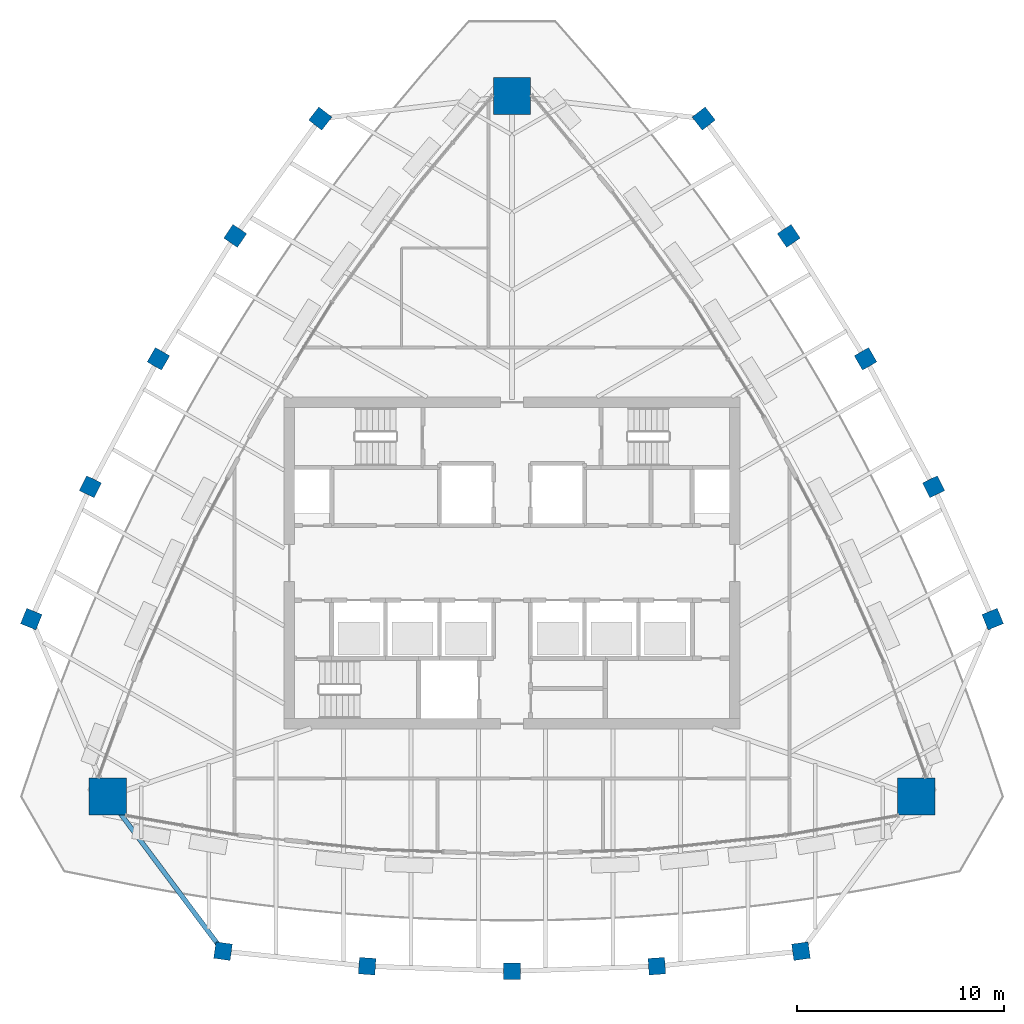
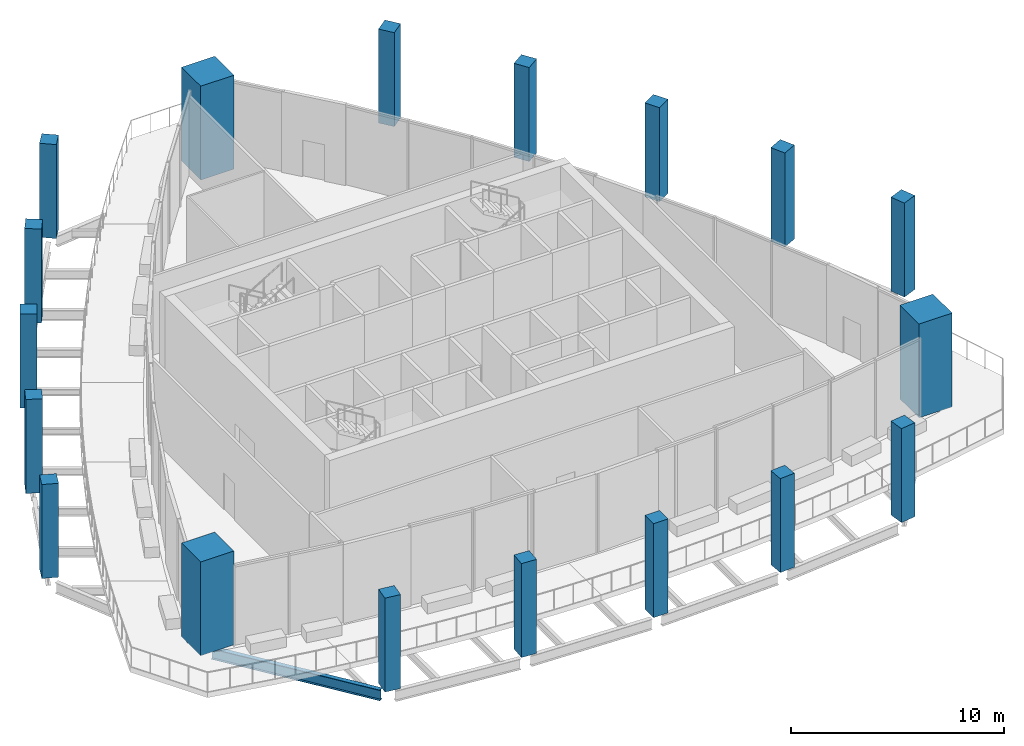
# One storey, part 1 of 14: 18 columns, 1 beam.
"""IFC4 building model written with IfcOpenShell, lengths in metres."""

from ifc_helpers import new_model, si_unit, direction, frame, origin, origin_2d, place, context, subcontext, project, spatial, rectangle, i_section, extrude, clip, halfspace, material, material_profile, profile_set, type_object, element, save


model = new_model("IFC4")

# Units and contexts
model_context = context("Model", 3, precision=1e-05, world=origin(), true_north=direction((0.0, 1.0)))
body_context = subcontext(model_context, "Body", "Model", "MODEL_VIEW")
ifc_project = project(units=[si_unit("LENGTHUNIT", "METRE"), si_unit("AREAUNIT", "SQUARE_METRE"), si_unit("VOLUMEUNIT", "CUBIC_METRE"), si_unit("PLANEANGLEUNIT", "RADIAN"), si_unit("MASSUNIT", "GRAM", prefix="KILO")], contexts=[model_context])

# Site, building, storey
site_placement = place(None, origin())
site = spatial("IfcSite", under=ifc_project, at=site_placement, CompositionType="ELEMENT")
building_placement = place(site_placement, origin())
building = spatial("IfcBuilding", under=site, at=building_placement, Name="Sierra Prisma Convention Tower", CompositionType="ELEMENT")
storey_placement = place(building_placement, frame((0.0, 0.0, 339.39990234375)))
storey = spatial("IfcBuildingStorey", under=building, at=storey_placement, Name="L76", CompositionType="ELEMENT", Elevation=339.39990234375)

# Columns
ifc_material_1 = material(Name="Concrete C50/60", Category="concrete")
ifc_material_profile_1 = material_profile(ifc_material_1, rectangle(XDim=1.800048828125, YDim=1.800048828125, at=origin_2d()), Name="Mega column RC 1800 C50/60")
ifc_profile_set_1 = profile_set([ifc_material_profile_1], Name="Concrete C50/60")
column_type_1 = type_object("IfcColumnType", Name="Mega column RC 1800 C50/60", PredefinedType="COLUMN", material=ifc_profile_set_1)
column_1_placement = place(storey_placement, frame((19.513671875, -11.266357421875, 0.0), z_axis=(0.0, 0.0, 1.0), x_axis=(1.0, 0.0, 0.0)))
element("IfcColumn", 1, at=column_1_placement, inside=storey, type_object=column_type_1, Name="Mega column SE L76", PredefinedType="COLUMN", context=body_context, shape_type="SweptSolid", body=[
    clip(extrude(rectangle(XDim=1.800048828125, YDim=1.800048828125, at=origin_2d()), origin(), (0.0, 0.0, 1.0), 5.400146484375), halfspace(frame((0.0, 0.0, 0.009033203125)), True)),
])
column_2_placement = place(storey_placement, frame((0.0, 22.532470703125, 0.0), z_axis=(0.0, 0.0, 1.0), x_axis=(1.0, 0.0, 0.0)))
element("IfcColumn", 2, at=column_2_placement, inside=storey, type_object=column_type_1, Name="Mega column N L76", PredefinedType="COLUMN", context=body_context, shape_type="SweptSolid", body=[
    clip(extrude(rectangle(XDim=1.800048828125, YDim=1.800048828125, at=origin_2d()), origin(), (0.0, 0.0, 1.0), 5.400146484375), halfspace(frame((0.0, 0.0, 0.006591796875)), True)),
])
column_3_placement = place(storey_placement, frame((-19.513671875, -11.266357421875, 0.0), z_axis=(0.0, 0.0, 1.0), x_axis=(1.0, 0.0, 0.0)))
element("IfcColumn", 3, at=column_3_placement, inside=storey, type_object=column_type_1, Name="Mega column SW L76", PredefinedType="COLUMN", context=body_context, shape_type="SweptSolid", body=[
    clip(extrude(rectangle(XDim=1.800048828125, YDim=1.800048828125, at=origin_2d()), origin(), (0.0, 0.0, 1.0), 5.400146484375), halfspace(frame((0.0, 0.0, 0.009033203125)), True)),
])
ifc_material_2 = material(Name="Concrete C50/60", Category="concrete")
ifc_material_profile_2 = material_profile(ifc_material_2, rectangle(XDim=0.800048828125, YDim=0.800048828125, at=origin_2d()), Name="Perimeter column RC 800 C50/60")
ifc_profile_set_2 = profile_set([ifc_material_profile_2], Name="Concrete C50/60")
column_type_2 = type_object("IfcColumnType", Name="Perimeter column RC 800 C50/60", PredefinedType="COLUMN", material=ifc_profile_set_2)
column_4_placement = place(storey_placement, frame((-13.944580078125, -18.733154296875, 0.0), z_axis=(0.0, 0.0, 1.0), x_axis=(-0.990429413919, 0.138020201583, 0.0)))
element("IfcColumn", 4, at=column_4_placement, inside=storey, type_object=column_type_2, Name="Perimeter column S-1 L76", PredefinedType="COLUMN", context=body_context, shape_type="SweptSolid", body=[
    clip(extrude(rectangle(XDim=0.800048828125, YDim=0.800048828125, at=origin_2d()), origin(), (0.0, 0.0, 1.0), 5.400146484375), halfspace(frame((0.0, 0.0, 0.002685546875)), True)),
])
column_5_placement = place(storey_placement, frame((-6.989013671875, -19.4580078125, 0.0), z_axis=(0.0, 0.0, 1.0), x_axis=(-0.997604544599, 0.069174941967, 0.0)))
element("IfcColumn", 5, at=column_5_placement, inside=storey, type_object=column_type_2, Name="Perimeter column S-2 L76", PredefinedType="COLUMN", context=body_context, shape_type="SweptSolid", body=[
    clip(extrude(rectangle(XDim=0.800048828125, YDim=0.800048828125, at=origin_2d()), origin(), (0.0, 0.0, 1.0), 5.400146484375), halfspace(frame((0.0, 0.0, 0.001953125)), True)),
])
column_6_placement = place(storey_placement, frame((0.0, -19.699951171875, 0.0), z_axis=(0.0, 0.0, 1.0), x_axis=(1.0, 0.0, 0.0)))
element("IfcColumn", 6, at=column_6_placement, inside=storey, type_object=column_type_2, Name="Perimeter column S-3 L76", PredefinedType="COLUMN", context=body_context, shape_type="SweptSolid", body=[
    clip(extrude(rectangle(XDim=0.800048828125, YDim=0.800048828125, at=origin_2d()), origin(), (0.0, 0.0, 1.0), 5.400146484375), halfspace(frame((0.0, 0.0, 0.001220703125)), True)),
])
column_7_placement = place(storey_placement, frame((6.989013671875, -19.4580078125, 0.0), z_axis=(0.0, 0.0, 1.0), x_axis=(0.997604544599, 0.069174941967, 0.0)))
element("IfcColumn", 7, at=column_7_placement, inside=storey, type_object=column_type_2, Name="Perimeter column S-4 L76", PredefinedType="COLUMN", context=body_context, shape_type="SweptSolid", body=[
    clip(extrude(rectangle(XDim=0.800048828125, YDim=0.800048828125, at=origin_2d()), origin(), (0.0, 0.0, 1.0), 5.400146484375), halfspace(frame((0.0, 0.0, 0.001953125)), True)),
])
for number, where, z_axis, x_axis, name in (
    (8, (13.944580078125, -18.733154296875, 0.0), (0.0, 0.0, 1.0), (0.990429413919, 0.138020201583, 0.0), "Perimeter column S-5 L76"),
    (9, (23.195556640625, -2.7099609375, 0.0), (0.0, 0.0, 1.0), (-0.375685706153, 0.9267471339, 0.0), "Perimeter column NE-1 L76"),
):
    element("IfcColumn", number, at=place(storey_placement, frame(where, z_axis=z_axis, x_axis=x_axis)), inside=storey, type_object=column_type_2, Name=name, PredefinedType="COLUMN", context=body_context, shape_type="SweptSolid", body=[
        clip(extrude(rectangle(XDim=0.800048828125, YDim=0.800048828125, at=origin_2d()), origin(), (0.0, 0.0, 1.0), 5.400146484375), halfspace(frame((0.0, 0.0, 0.002685546875)), True)),
    ])
column_8_placement = place(storey_placement, frame((20.345703125, 3.67626953125, 0.0), z_axis=(0.0, 0.0, 1.0), x_axis=(-0.438895015251, 0.898538349537, 0.0)))
element("IfcColumn", 10, at=column_8_placement, inside=storey, type_object=column_type_2, Name="Perimeter column NE-2 L76", PredefinedType="COLUMN", context=body_context, shape_type="SweptSolid", body=[
    clip(extrude(rectangle(XDim=0.800048828125, YDim=0.800048828125, at=origin_2d()), origin(), (0.0, 0.0, 1.0), 5.400146484375), halfspace(frame((0.0, 0.0, 0.001953125)), True)),
])
column_9_placement = place(storey_placement, frame((17.060791015625, 9.85009765625, 0.0), z_axis=(0.0, 0.0, 1.0), x_axis=(-0.5, 0.866025403784, 0.0)))
element("IfcColumn", 11, at=column_9_placement, inside=storey, type_object=column_type_2, Name="Perimeter column NE-3 L76", PredefinedType="COLUMN", context=body_context, shape_type="SweptSolid", body=[
    clip(extrude(rectangle(XDim=0.800048828125, YDim=0.800048828125, at=origin_2d()), origin(), (0.0, 0.0, 1.0), 5.400146484375), halfspace(frame((0.0, 0.0, 0.001220703125)), True)),
])
column_10_placement = place(storey_placement, frame((13.356689453125, 15.78173828125, 0.0), z_axis=(0.0, 0.0, 1.0), x_axis=(-0.558709529348, 0.82936340757, 0.0)))
element("IfcColumn", 12, at=column_10_placement, inside=storey, type_object=column_type_2, Name="Perimeter column NE-4 L76", PredefinedType="COLUMN", context=body_context, shape_type="SweptSolid", body=[
    clip(extrude(rectangle(XDim=0.800048828125, YDim=0.800048828125, at=origin_2d()), origin(), (0.0, 0.0, 1.0), 5.400146484375), halfspace(frame((0.0, 0.0, 0.001953125)), True)),
])
for number, where, z_axis, x_axis, name in (
    (13, (9.2509765625, 21.44287109375, 0.0), (0.0, 0.0, 1.0), (-0.614743707766, 0.788726932317, 0.0), "Perimeter column NE-5 L76"),
    (14, (-9.2509765625, 21.44287109375, 0.0), (0.0, 0.0, 1.0), (0.614743707766, 0.788726932317, 0.0), "Perimeter column NW-1 L76"),
):
    element("IfcColumn", number, at=place(storey_placement, frame(where, z_axis=z_axis, x_axis=x_axis)), inside=storey, type_object=column_type_2, Name=name, PredefinedType="COLUMN", context=body_context, shape_type="SweptSolid", body=[
        clip(extrude(rectangle(XDim=0.800048828125, YDim=0.800048828125, at=origin_2d()), origin(), (0.0, 0.0, 1.0), 5.400146484375), halfspace(frame((0.0, 0.0, 0.002685546875)), True)),
    ])
column_11_placement = place(storey_placement, frame((-13.356689453125, 15.78173828125, 0.0), z_axis=(0.0, 0.0, 1.0), x_axis=(0.558709529348, 0.82936340757, 0.0)))
element("IfcColumn", 15, at=column_11_placement, inside=storey, type_object=column_type_2, Name="Perimeter column NW-2 L76", PredefinedType="COLUMN", context=body_context, shape_type="SweptSolid", body=[
    clip(extrude(rectangle(XDim=0.800048828125, YDim=0.800048828125, at=origin_2d()), origin(), (0.0, 0.0, 1.0), 5.400146484375), halfspace(frame((0.0, 0.0, 0.001953125)), True)),
])
column_12_placement = place(storey_placement, frame((-17.060791015625, 9.85009765625, 0.0), z_axis=(0.0, 0.0, 1.0), x_axis=(0.5, 0.866025403784, 0.0)))
element("IfcColumn", 16, at=column_12_placement, inside=storey, type_object=column_type_2, Name="Perimeter column NW-3 L76", PredefinedType="COLUMN", context=body_context, shape_type="SweptSolid", body=[
    clip(extrude(rectangle(XDim=0.800048828125, YDim=0.800048828125, at=origin_2d()), origin(), (0.0, 0.0, 1.0), 5.400146484375), halfspace(frame((0.0, 0.0, 0.001220703125)), True)),
])
column_13_placement = place(storey_placement, frame((-20.345703125, 3.67626953125, 0.0), z_axis=(0.0, 0.0, 1.0), x_axis=(0.438895015251, 0.898538349537, 0.0)))
element("IfcColumn", 17, at=column_13_placement, inside=storey, type_object=column_type_2, Name="Perimeter column NW-4 L76", PredefinedType="COLUMN", context=body_context, shape_type="SweptSolid", body=[
    clip(extrude(rectangle(XDim=0.800048828125, YDim=0.800048828125, at=origin_2d()), origin(), (0.0, 0.0, 1.0), 5.400146484375), halfspace(frame((0.0, 0.0, 0.001953125)), True)),
])
column_14_placement = place(storey_placement, frame((-23.195556640625, -2.7099609375, 0.0), z_axis=(0.0, 0.0, 1.0), x_axis=(0.375685706153, 0.9267471339, 0.0)))
element("IfcColumn", 18, at=column_14_placement, inside=storey, type_object=column_type_2, Name="Perimeter column NW-5 L76", PredefinedType="COLUMN", context=body_context, shape_type="SweptSolid", body=[
    clip(extrude(rectangle(XDim=0.800048828125, YDim=0.800048828125, at=origin_2d()), origin(), (0.0, 0.0, 1.0), 5.400146484375), halfspace(frame((0.0, 0.0, 0.002685546875)), True)),
])

# Beam
ifc_material_3 = material(Name="Steel ASTM A992 Gr 50", Category="steel")
ifc_material_profile_3 = material_profile(ifc_material_3, i_section(OverallWidth=0.22998046875, OverallDepth=0.616943359375, WebThickness=0.01318359375, FlangeThickness=0.022216796875, at=origin_2d()), Name="W610x140")
ifc_profile_set_3 = profile_set([ifc_material_profile_3], Name="Steel ASTM A992 Gr 50")
beam_type = type_object("IfcBeamType", Name="Spandrel beam W610x140", PredefinedType="BEAM", material=ifc_profile_set_3)
beam_placement = place(storey_placement, frame((-19.37939453125, -11.4462890625, -0.6083984375), z_axis=(0.59784325076, -0.801613028537, 0.0), x_axis=(0.801613028537, 0.59784325076, 0.0)))
element("IfcBeam", 19, at=beam_placement, inside=storey, type_object=beam_type, Name="Spandrel L76-01", PredefinedType="BEAM", context=body_context, shape_type="SweptSolid", body=[
    extrude(i_section(OverallWidth=0.22998046875, OverallDepth=0.616943359375, WebThickness=0.01318359375, FlangeThickness=0.022216796875, at=origin_2d()), origin(), (0.0, 0.0, 1.0), 8.64794921875),
])

save(model, "model.ifc")
